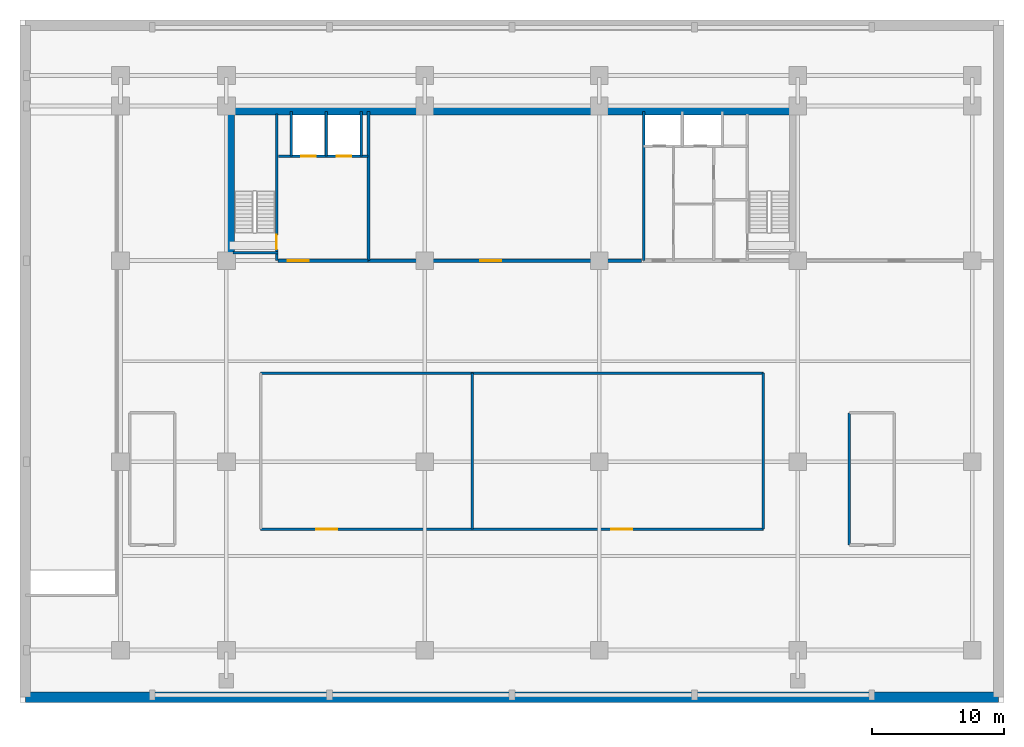
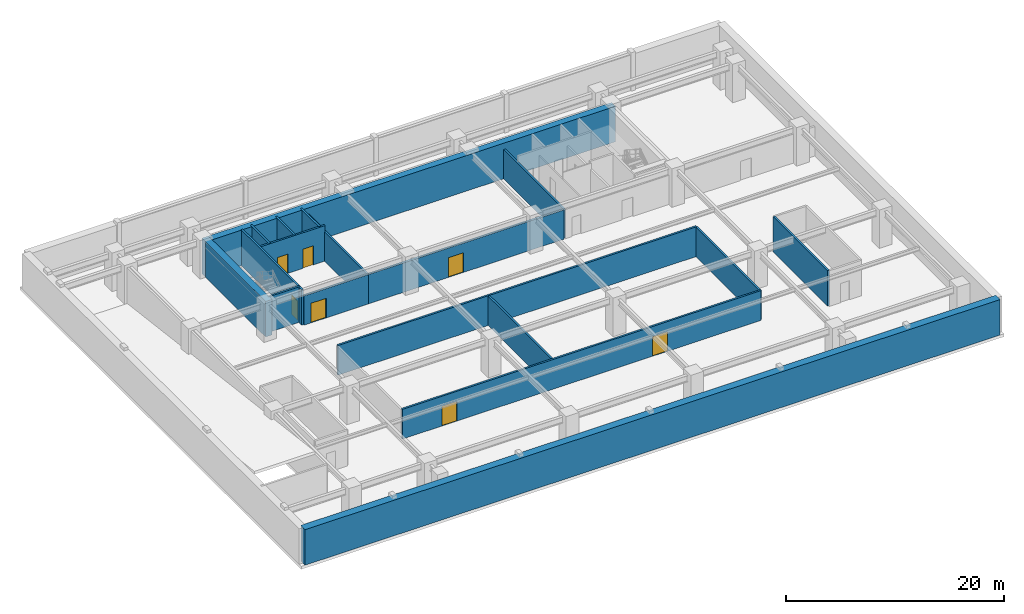
# One storey, part 4 of 8: 18 walls, 7 doors, 7 openings.
"""IFC4 building model written with IfcOpenShell, lengths in metres."""

import ifcopenshell
import ifcopenshell.guid

model = None  # the IFC model being written
_history = None  # IfcOwnerHistory: only IFC2X3 demands one
_inside = {}  # id of a spatial element -> (the spatial element, [elements in it])
_under = {}  # id of a project, library or spatial element -> (it, [spatial elements below it])
_declared = {}  # id of a project -> (the project, [libraries it declares])
_typed = {}  # id of a type object -> (the type object, [elements of that type])
_made_of = {}  # id of a material, layer set ... -> (it, [elements and type objects made of it])


def new_model(schema):
    """Start an empty IFC model of exactly this schema.

    Asked for "IFC4X3", IfcOpenShell would pick the latest addendum, in which some entities
    have other attributes; the version numbers below select the first issue.
    IFC2X3 requires an IfcOwnerHistory on every rooted entity: one is made here for all.
    """
    global model, _history
    if schema == "IFC4X3":
        model = ifcopenshell.file(schema_version=(4, 3, 0, 0))
    else:
        model = ifcopenshell.file(schema=schema)
    _inside.clear()
    _under.clear()
    _declared.clear()
    _typed.clear()
    _made_of.clear()
    _history = None
    if model.schema == "IFC2X3":
        org = make("IfcOrganization", Name="unknown")
        user = make(
            "IfcPersonAndOrganization",
            ThePerson=make("IfcPerson", FamilyName="unknown"),
            TheOrganization=org,
        )
        app = make(
            "IfcApplication",
            ApplicationDeveloper=org,
            Version="unknown",
            ApplicationFullName="unknown",
            ApplicationIdentifier="unknown",
        )
        _history = make(
            "IfcOwnerHistory",
            OwningUser=user,
            OwningApplication=app,
            ChangeAction="ADDED",
            CreationDate=0,
        )
    return model


def make(cls, **values):
    """One entity of the class cls with the attributes given. An attribute that is None is left unset."""
    return model.create_entity(
        cls, **{name: value for name, value in values.items() if value is not None}
    )


def rooted(cls, **values):
    """An entity with a GlobalId (a new one), such as an element, a storey or a relation."""
    return make(cls, GlobalId=ifcopenshell.guid.new(), OwnerHistory=_history, **values)


def si_unit(unit_type, name, prefix=None):
    """IfcSIUnit, for example si_unit("LENGTHUNIT", "METRE", prefix="MILLI")."""
    return make("IfcSIUnit", UnitType=unit_type, Prefix=prefix, Name=name)


def assignment(units):
    """IfcUnitAssignment: the units of a project."""
    return None if units is None else make("IfcUnitAssignment", Units=units)


def point(xyz):
    """IfcCartesianPoint."""
    return None if xyz is None else make("IfcCartesianPoint", Coordinates=xyz)


def direction(xyz):
    """IfcDirection."""
    return None if xyz is None else make("IfcDirection", DirectionRatios=xyz)


def frame(location, z_axis=None, x_axis=None):
    """IfcAxis2Placement3D, a coordinate frame: its origin and axes. An axis left out is left unset."""
    return make(
        "IfcAxis2Placement3D",
        Location=point(location),
        Axis=direction(z_axis),
        RefDirection=direction(x_axis),
    )


def frame_2d(location, x_axis=None):
    """IfcAxis2Placement2D, a coordinate frame in the plane: its origin and x axis."""
    return make(
        "IfcAxis2Placement2D", Location=point(location), RefDirection=direction(x_axis)
    )


def origin():
    """The frame at (0, 0, 0) with its axes left unset."""
    return frame((0.0, 0.0, 0.0))


def place(relative_to, where):
    """IfcLocalPlacement: puts the frame where relative to a parent placement (None: the world)."""
    return make(
        "IfcLocalPlacement", PlacementRelTo=relative_to, RelativePlacement=where
    )


def context(
    kind, dimensions, precision=None, world=None, true_north=None, identifier=None
):
    """IfcGeometricRepresentationContext, for example the 3D "Model" context."""
    return make(
        "IfcGeometricRepresentationContext",
        ContextIdentifier=identifier,
        ContextType=kind,
        CoordinateSpaceDimension=dimensions,
        Precision=precision,
        WorldCoordinateSystem=world,
        TrueNorth=true_north,
    )


def subcontext(parent, identifier, kind, view, scale=None):
    """IfcGeometricRepresentationSubContext, for example "Body" below "Model"."""
    return make(
        "IfcGeometricRepresentationSubContext",
        ContextIdentifier=identifier,
        ContextType=kind,
        ParentContext=parent,
        TargetScale=scale,
        TargetView=view,
    )


def project(units=None, contexts=None):
    """IfcProject with its units and contexts."""
    return rooted(
        "IfcProject",
        Name="project",
        RepresentationContexts=contexts,
        UnitsInContext=assignment(units),
    )


def spatial(cls, under=None, at=None, **own):
    """A site, building, storey or space (cls), placed at a placement, below another one or the project."""
    s = rooted(cls, ObjectPlacement=at, **own)
    if under is not None:
        _under.setdefault(under.id(), (under, []))[1].append(s)
    return s


def profile(cls, at=None, kind="AREA", **sizes):
    """A parametric profile (cls). Its sizes go by their IFC names, for example OverallWidth=200.0."""
    return make(cls, ProfileType=kind, Position=at, **sizes)


def rectangle(**sizes):
    """IfcRectangleProfileDef."""
    return profile("IfcRectangleProfileDef", **sizes)


def extrude(swept, where, along, depth):
    """IfcExtrudedAreaSolid: the profile swept, set in the frame where, extruded along a direction by depth."""
    return make(
        "IfcExtrudedAreaSolid",
        SweptArea=swept,
        Position=where,
        ExtrudedDirection=direction(along),
        Depth=depth,
    )


def shape(context_of_items, identifier, shape_type, items):
    """IfcShapeRepresentation: the items that make up one representation, for example the "Body"."""
    return make(
        "IfcShapeRepresentation",
        ContextOfItems=context_of_items,
        RepresentationIdentifier=identifier,
        RepresentationType=shape_type,
        Items=items,
    )


def source(mapping_origin, context_of_items, identifier, shape_type, items):
    """IfcRepresentationMap: a shape defined once, which mapped items show again and again."""
    return make(
        "IfcRepresentationMap",
        MappingOrigin=mapping_origin,
        MappedRepresentation=shape(context_of_items, identifier, shape_type, items),
    )


def transform(
    local_origin,
    x_axis=None,
    y_axis=None,
    z_axis=None,
    scale=None,
    scale2=None,
    scale3=None,
    uniform=True,
):
    """IfcCartesianTransformationOperator3D, or its non-uniform kind. x_axis, y_axis, z_axis: its Axis1, 2, 3."""
    if uniform:
        return make(
            "IfcCartesianTransformationOperator3D",
            Axis1=direction(x_axis),
            Axis2=direction(y_axis),
            LocalOrigin=point(local_origin),
            Scale=scale,
            Axis3=direction(z_axis),
        )
    return make(
        "IfcCartesianTransformationOperator3DnonUniform",
        Axis1=direction(x_axis),
        Axis2=direction(y_axis),
        LocalOrigin=point(local_origin),
        Scale=scale,
        Axis3=direction(z_axis),
        Scale2=scale2,
        Scale3=scale3,
    )


def mapped(mapping_source, mapping_target):
    """IfcMappedItem: shows the shape of a source again, moved by a transform."""
    return make(
        "IfcMappedItem", MappingSource=mapping_source, MappingTarget=mapping_target
    )


def material(Name=None, Category=None):
    """IfcMaterial."""
    return make("IfcMaterial", Name=Name, Category=Category)


def layer(
    of_material, thickness, ventilated=None, Name=None, Category=None, Priority=None
):
    """IfcMaterialLayer: one layer of a wall or slab, of a material (None: an air gap)."""
    return make(
        "IfcMaterialLayer",
        Material=of_material,
        LayerThickness=thickness,
        IsVentilated=ventilated,
        Name=Name,
        Category=Category,
        Priority=Priority,
    )


def layer_set(layers, Name=None):
    """IfcMaterialLayerSet."""
    return make("IfcMaterialLayerSet", MaterialLayers=layers, LayerSetName=Name)


def made_of(thing, what):
    """Note that an element or type object is made of a material, layer set ...; save() writes the relation."""
    if what is not None:
        _made_of.setdefault(what.id(), (what, []))[1].append(thing)
    return thing


def type_object(cls, material=None, **own):
    """A type object (cls), such as IfcWallType, which elements share."""
    return made_of(rooted(cls, **own), material)


def element(
    cls,
    number,
    at=None,
    inside=None,
    cuts=None,
    type_object=None,
    material=None,
    context=None,
    identifier="Body",
    shape_type=None,
    held_by="IfcProductDefinitionShape",
    body=None,
    shapes=None,
    **own,
):
    """One element of the class cls, such as IfcWall. Its Tag is "e" and its number.

    at: its placement. inside: the storey or other place that contains it. cuts: it is an
    opening in that element (IfcRelVoidsElement). A single representation is given by context,
    identifier, shape_type and body (its items); several are given by shapes. held_by: the class
    of the entity that holds the representations. save() writes the other relations.
    """
    e = rooted(cls, Tag="e%d" % number, ObjectPlacement=at, **own)
    if body is not None:
        shapes = [shape(context, identifier, shape_type, body)]
    if shapes is not None:
        e.Representation = make(held_by, Representations=shapes)
    if inside is not None:
        _inside.setdefault(inside.id(), (inside, []))[1].append(e)
    if cuts is not None:
        rooted(
            "IfcRelVoidsElement", RelatingBuildingElement=cuts, RelatedOpeningElement=e
        )
    if type_object is not None:
        _typed.setdefault(type_object.id(), (type_object, []))[1].append(e)
    return made_of(e, material)


def fill(opening, filler):
    """IfcRelFillsElement: the door or window that sits in an opening."""
    return rooted(
        "IfcRelFillsElement",
        RelatingOpeningElement=opening,
        RelatedBuildingElement=filler,
    )


def aggregate(whole, parts):
    """IfcRelAggregates: a whole, such as a stair, and the parts it consists of."""
    return rooted("IfcRelAggregates", RelatingObject=whole, RelatedObjects=parts)


def save(model, path):
    """Write the relations noted so far, then the file.

    IfcRelAggregates (storeys below a building ...), IfcRelContainedInSpatialStructure (elements
    in a storey), IfcRelDefinesByType, IfcRelAssociatesMaterial and IfcRelDeclares: one each for
    every whole, place, type object, material and project.
    """
    for whole, parts in _under.values():
        aggregate(whole, parts)
    for where, things in _inside.values():
        rooted(
            "IfcRelContainedInSpatialStructure",
            RelatedElements=things,
            RelatingStructure=where,
        )
    for kind, things in _typed.values():
        rooted("IfcRelDefinesByType", RelatedObjects=things, RelatingType=kind)
    for what, things in _made_of.values():
        rooted("IfcRelAssociatesMaterial", RelatedObjects=things, RelatingMaterial=what)
    for by, libraries in _declared.values():
        rooted("IfcRelDeclares", RelatingContext=by, RelatedDefinitions=libraries)
    model.write(path)


model = new_model("IFC4")

# Units and contexts
model_context = context("Model", 3, precision=1e-05, world=origin(), true_north=direction((0.0, 1.0)))
body_context = subcontext(model_context, "Body", "Model", "MODEL_VIEW")
ifc_project = project(units=[si_unit("LENGTHUNIT", "METRE"), si_unit("AREAUNIT", "SQUARE_METRE"), si_unit("VOLUMEUNIT", "CUBIC_METRE"), si_unit("PLANEANGLEUNIT", "RADIAN"), si_unit("MASSUNIT", "GRAM", prefix="KILO")], contexts=[model_context])

# Site, building, storey
site_placement = place(None, origin())
site = spatial("IfcSite", under=ifc_project, at=site_placement, CompositionType="ELEMENT")
building_placement = place(site_placement, origin())
building = spatial("IfcBuilding", under=site, at=building_placement, Name="Trelvane Seafront Commons", CompositionType="ELEMENT")
storey_placement = place(building_placement, frame((0.0, 0.0, -8.60009765625)))
storey = spatial("IfcBuildingStorey", under=building, at=storey_placement, Name="B02", CompositionType="ELEMENT", Elevation=-8.60009765625)

# Wall, openings, doors
ifc_material_1 = material(Name="Concrete C40/50", Category="concrete")
ifc_layer_1 = layer(ifc_material_1, 0.199951171875, Name="ARCH-WALL-FIRE200")
ifc_layer_set_1 = layer_set([ifc_layer_1], Name="Concrete C40/50")
wall_type_1 = type_object("IfcWallType", Name="ARCH-WALL-FIRE200", PredefinedType="PARTITIONING", material=ifc_layer_set_1)
wall_1_placement = place(storey_placement, frame((18.199951171875, 13.10009765625, 0.0), z_axis=(0.0, 0.0, 1.0), x_axis=(1.0, 0.0, 0.0)))
wall_1 = element("IfcWall", 1, at=wall_1_placement, inside=storey, type_object=wall_type_1, Name="W-B02-BM-IS-S-032", PredefinedType="PARTITIONING", context=body_context, shape_type="SweptSolid", body=[
    extrude(rectangle(XDim=38.0, YDim=0.199951171875, at=frame_2d((19.0, 0.0))), origin(), (0.0, 0.0, 1.0), 3.330078125),
])
opening_1_placement = place(wall_1_placement, frame((4.199951171875, 0.0, 0.0)))
opening_1 = element("IfcOpeningElement", 2, at=opening_1_placement, cuts=wall_1, Name="Opening FD-B02-16", PredefinedType="OPENING", context=body_context, shape_type="SweptSolid", body=[
    extrude(rectangle(XDim=1.60009765625, YDim=2.199951171875, at=frame_2d((0.800048828125, 1.10009765625))), frame((0.0, 0.10986328125, 0.0), z_axis=(0.0, -1.0, 0.0), x_axis=(1.0, 0.0, 0.0)), (0.0, 0.0, 1.0), 0.219970703125),
])
opening_2_placement = place(wall_1_placement, frame((26.5, 0.0, 0.0)))
opening_2 = element("IfcOpeningElement", 3, at=opening_2_placement, cuts=wall_1, Name="Opening FD-B02-17", PredefinedType="OPENING", context=body_context, shape_type="SweptSolid", body=[
    extrude(rectangle(XDim=1.60009765625, YDim=2.199951171875, at=frame_2d((0.800048828125, 1.10009765625))), frame((0.0, 0.10986328125, 0.0), z_axis=(0.0, -1.0, 0.0), x_axis=(1.0, 0.0, 0.0)), (0.0, 0.0, 1.0), 0.219970703125),
])
ifc_material_2 = material(Name="Powder-coated aluminium frame", Category="aluminium")
door_type_1 = type_object("IfcDoorType", Name="ARCH-DR-FD60-1600", OperationType="DOUBLE_DOOR_SINGLE_SWING", PredefinedType="DOOR", material=ifc_material_2)
shared_shape_1 = source(origin(), body_context, "Body", "SweptSolid", [
    extrude(rectangle(XDim=1.60009765625, YDim=2.199951171875, at=frame_2d((0.800048828125, 1.10009765625))), frame((0.0, 0.02490234375, 0.0), z_axis=(0.0, -1.0, 0.0), x_axis=(1.0, 0.0, 0.0)), (0.0, 0.0, 1.0), 0.050048828125),
])
door_1_placement = place(opening_1_placement, origin())
door_1 = element("IfcDoor", 4, at=door_1_placement, inside=storey, type_object=door_type_1, Name="B02 Door 16", OperationType="DOUBLE_DOOR_SINGLE_SWING", OverallHeight=2.199951171875, OverallWidth=1.60009765625, PredefinedType="DOOR", context=body_context, shape_type="MappedRepresentation", body=[
    mapped(shared_shape_1, transform((0.0, 0.0, 0.0), x_axis=(1.0, 0.0, 0.0), y_axis=(0.0, 1.0, 0.0), z_axis=(0.0, 0.0, 1.0), scale=1.0)),
])
fill(opening_1, door_1)
door_2_placement = place(opening_2_placement, origin())
door_2 = element("IfcDoor", 5, at=door_2_placement, inside=storey, type_object=door_type_1, Name="B02 Door 17", OperationType="DOUBLE_DOOR_SINGLE_SWING", OverallHeight=2.199951171875, OverallWidth=1.60009765625, PredefinedType="DOOR", context=body_context, shape_type="MappedRepresentation", body=[
    mapped(shared_shape_1, transform((0.0, 0.0, 0.0), x_axis=(1.0, 0.0, 0.0), y_axis=(0.0, 1.0, 0.0), z_axis=(0.0, 0.0, 1.0), scale=1.0)),
])
fill(opening_2, door_2)

# Walls
wall_2_placement = place(storey_placement, frame((18.199951171875, 24.89990234375, 0.0), z_axis=(0.0, 0.0, 1.0), x_axis=(1.0, 0.0, 0.0)))
element("IfcWall", 6, at=wall_2_placement, inside=storey, type_object=wall_type_1, Name="W-B02-BM-IS-N-033", PredefinedType="PARTITIONING", context=body_context, shape_type="SweptSolid", body=[
    extrude(rectangle(XDim=38.0, YDim=0.199951171875, at=frame_2d((19.0, 0.0))), origin(), (0.0, 0.0, 1.0), 3.330078125),
])
for number, where, z_axis, x_axis, name in (
    (7, (56.199951171875, 13.10009765625, 0.0), (0.0, 0.0, 1.0), (0.0, 1.0, 0.0), "W-B02-BM-IS-E-035"),
    (8, (34.199951171875, 13.10009765625, 0.0), (0.0, 0.0, 1.0), (0.0, 1.0, 0.0), "W-B02-BM-IS-M-036"),
):
    element("IfcWall", number, at=place(storey_placement, frame(where, z_axis=z_axis, x_axis=x_axis)), inside=storey, type_object=wall_type_1, Name=name, PredefinedType="PARTITIONING", context=body_context, shape_type="SweptSolid", body=[
        extrude(rectangle(XDim=11.7998046875, YDim=0.199951171875, at=frame_2d((5.89990234375, 0.0))), origin(), (0.0, 0.0, 1.0), 3.280029296875),
    ])

# Wall, opening, door
ifc_layer_2 = layer(ifc_material_1, 0.25, Name="ARCH-WALL-FIRE250")
ifc_layer_set_2 = layer_set([ifc_layer_2], Name="Concrete C40/50")
wall_type_2 = type_object("IfcWallType", Name="ARCH-WALL-FIRE250", PredefinedType="PARTITIONING", material=ifc_layer_set_2)
wall_3_placement = place(storey_placement, frame((19.5, 33.39990234375, 0.0), z_axis=(0.0, 0.0, 1.0), x_axis=(1.0, 0.0, 0.0)))
wall_3 = element("IfcWall", 9, at=wall_3_placement, inside=storey, type_object=wall_type_2, Name="W-B02-CS-FFL-021", PredefinedType="PARTITIONING", context=body_context, shape_type="SweptSolid", body=[
    extrude(rectangle(XDim=6.800048828125, YDim=0.25, at=frame_2d((3.39990234375, 0.0))), origin(), (0.0, 0.0, 1.0), 3.280029296875),
])
opening_3_placement = place(wall_3_placement, frame((0.75, 0.0, 0.0)))
opening_3 = element("IfcOpeningElement", 10, at=opening_3_placement, cuts=wall_3, Name="Opening FD-B02-07", PredefinedType="OPENING", context=body_context, shape_type="SweptSolid", body=[
    extrude(rectangle(XDim=1.60009765625, YDim=2.199951171875, at=frame_2d((0.800048828125, 1.10009765625))), frame((0.0, 0.135009765625, 0.0), z_axis=(0.0, -1.0, 0.0), x_axis=(1.0, 0.0, 0.0)), (0.0, 0.0, 1.0), 0.27001953125),
])
door_3_placement = place(opening_3_placement, origin())
door_3 = element("IfcDoor", 11, at=door_3_placement, inside=storey, type_object=door_type_1, Name="B02 Firefighting Lift Lobby Double Fire Door", OperationType="DOUBLE_DOOR_SINGLE_SWING", OverallHeight=2.199951171875, OverallWidth=1.60009765625, PredefinedType="DOOR", context=body_context, shape_type="MappedRepresentation", body=[
    mapped(shared_shape_1, transform((0.0, 0.0, 0.0), x_axis=(1.0, 0.0, 0.0), y_axis=(0.0, 1.0, 0.0), z_axis=(0.0, 0.0, 1.0), scale=1.0)),
])
fill(opening_3, door_3)

wall_4_placement = place(storey_placement, frame((26.300048828125, 33.39990234375, 0.0), z_axis=(0.0, 0.0, 1.0), x_axis=(1.0, 0.0, 0.0)))
wall_4 = element("IfcWall", 12, at=wall_4_placement, inside=storey, type_object=wall_type_2, Name="W-B02-CS-MID-023", PredefinedType="PARTITIONING", context=body_context, shape_type="SweptSolid", body=[
    extrude(rectangle(XDim=20.699951171875, YDim=0.25, at=frame_2d((10.35009765625, 0.0))), origin(), (0.0, 0.0, 1.0), 3.280029296875),
])
opening_4_placement = place(wall_4_placement, frame((8.5, 0.0, 0.0)))
opening_4 = element("IfcOpeningElement", 13, at=opening_4_placement, cuts=wall_4, Name="Opening FD-B02-08", PredefinedType="OPENING", context=body_context, shape_type="SweptSolid", body=[
    extrude(rectangle(XDim=1.60009765625, YDim=2.199951171875, at=frame_2d((0.800048828125, 1.10009765625))), frame((0.0, 0.135009765625, 0.0), z_axis=(0.0, -1.0, 0.0), x_axis=(1.0, 0.0, 0.0)), (0.0, 0.0, 1.0), 0.27001953125),
])
door_4_placement = place(opening_4_placement, origin())
door_4 = element("IfcDoor", 14, at=door_4_placement, inside=storey, type_object=door_type_1, Name="B02 Core Technical Room Door", OperationType="DOUBLE_DOOR_SINGLE_SWING", OverallHeight=2.199951171875, OverallWidth=1.60009765625, PredefinedType="DOOR", context=body_context, shape_type="MappedRepresentation", body=[
    mapped(shared_shape_1, transform((0.0, 0.0, 0.0), x_axis=(1.0, 0.0, 0.0), y_axis=(0.0, 1.0, 0.0), z_axis=(0.0, 0.0, 1.0), scale=1.0)),
])
fill(opening_4, door_4)

# Wall, openings, doors
ifc_layer_3 = layer(ifc_material_1, 0.199951171875, Name="ARCH-WALL-SHAFT200")
ifc_layer_set_3 = layer_set([ifc_layer_3], Name="Concrete C40/50")
wall_type_3 = type_object("IfcWallType", Name="ARCH-WALL-SHAFT200", PredefinedType="SOLIDWALL", material=ifc_layer_set_3)
wall_5_placement = place(storey_placement, frame((19.550048828125, 41.300048828125, 0.0), z_axis=(0.0, 0.0, 1.0), x_axis=(1.0, 0.0, 0.0)))
wall_5 = element("IfcWall", 15, at=wall_5_placement, inside=storey, type_object=wall_type_3, Name="W-B02-FFL-FRONT-016", PredefinedType="SOLIDWALL", context=body_context, shape_type="SweptSolid", body=[
    extrude(rectangle(XDim=6.75, YDim=0.199951171875, at=frame_2d((3.375, 0.0))), origin(), (0.0, 0.0, 1.0), 3.97998046875),
])
opening_5_placement = place(wall_5_placement, frame((1.699951171875, 0.0, 0.0)))
opening_5 = element("IfcOpeningElement", 16, at=opening_5_placement, cuts=wall_5, Name="Opening LD-FF1-B02", PredefinedType="OPENING", context=body_context, shape_type="SweptSolid", body=[
    extrude(rectangle(XDim=1.10009765625, YDim=2.14990234375, at=frame_2d((0.550048828125, 1.074951171875))), frame((0.0, 0.10986328125, 0.0), z_axis=(0.0, -1.0, 0.0), x_axis=(1.0, 0.0, 0.0)), (0.0, 0.0, 1.0), 0.219970703125),
])
opening_6_placement = place(wall_5_placement, frame((4.39990234375, 0.0, 0.0)))
opening_6 = element("IfcOpeningElement", 17, at=opening_6_placement, cuts=wall_5, Name="Opening LD-FF2-B02", PredefinedType="OPENING", context=body_context, shape_type="SweptSolid", body=[
    extrude(rectangle(XDim=1.10009765625, YDim=2.14990234375, at=frame_2d((0.550048828125, 1.074951171875))), frame((0.0, 0.10986328125, 0.0), z_axis=(0.0, -1.0, 0.0), x_axis=(1.0, 0.0, 0.0)), (0.0, 0.0, 1.0), 0.219970703125),
])
ifc_material_3 = material(Name="Stainless steel balustrade", Category="steel")
door_type_2 = type_object("IfcDoorType", Name="ARCH-DR-LD1100", OperationType="DOUBLE_DOOR_SLIDING", PredefinedType="DOOR", material=ifc_material_3)
shared_shape_2 = source(origin(), body_context, "Body", "SweptSolid", [
    extrude(rectangle(XDim=1.10009765625, YDim=2.14990234375, at=frame_2d((0.550048828125, 1.074951171875))), frame((0.0, 0.02490234375, 0.0), z_axis=(0.0, -1.0, 0.0), x_axis=(1.0, 0.0, 0.0)), (0.0, 0.0, 1.0), 0.050048828125),
])
door_5_placement = place(opening_5_placement, origin())
door_5 = element("IfcDoor", 18, at=door_5_placement, inside=storey, type_object=door_type_2, Name="B02 Firefighting Lift FFL-1 Landing Door", OperationType="DOUBLE_DOOR_SLIDING", OverallHeight=2.14990234375, OverallWidth=1.10009765625, PredefinedType="DOOR", context=body_context, shape_type="MappedRepresentation", body=[
    mapped(shared_shape_2, transform((0.0, 0.0, 0.0), x_axis=(1.0, 0.0, 0.0), y_axis=(0.0, 1.0, 0.0), z_axis=(0.0, 0.0, 1.0), scale=1.0)),
])
fill(opening_5, door_5)
door_6_placement = place(opening_6_placement, origin())
door_6 = element("IfcDoor", 19, at=door_6_placement, inside=storey, type_object=door_type_2, Name="B02 Firefighting Lift FFL-2 Landing Door", OperationType="DOUBLE_DOOR_SLIDING", OverallHeight=2.14990234375, OverallWidth=1.10009765625, PredefinedType="DOOR", context=body_context, shape_type="MappedRepresentation", body=[
    mapped(shared_shape_2, transform((0.0, 0.0, 0.0), x_axis=(1.0, 0.0, 0.0), y_axis=(0.0, 1.0, 0.0), z_axis=(0.0, 0.0, 1.0), scale=1.0)),
])
fill(opening_6, door_6)

# Walls
for number, where, z_axis, x_axis, name in (
    (20, (20.5, 41.300048828125, 0.0), (0.0, 0.0, 1.0), (0.0, 1.0, 0.0), "W-B02-FFL-SH-W-017"),
    (21, (23.14990234375, 41.300048828125, 0.0), (0.0, 0.0, 1.0), (0.0, 1.0, 0.0), "W-B02-FFL-DIV-018"),
    (22, (25.800048828125, 41.300048828125, 0.0), (0.0, 0.0, 1.0), (0.0, 1.0, 0.0), "W-B02-FFL-SH-E-019"),
):
    element("IfcWall", number, at=place(storey_placement, frame(where, z_axis=z_axis, x_axis=x_axis)), inside=storey, type_object=wall_type_3, Name=name, PredefinedType="SOLIDWALL", context=body_context, shape_type="SweptSolid", body=[
        extrude(rectangle(XDim=3.39990234375, YDim=0.199951171875, at=frame_2d((1.699951171875, 0.0))), origin(), (0.0, 0.0, 1.0), 3.97998046875),
    ])
for number, where, z_axis, x_axis, name in (
    (23, (26.35009765625, 33.39990234375, 0.0), (0.0, 0.0, 1.0), (0.0, 1.0, 0.0), "W-B02-FFL-EAST-020"),
    (24, (47.14990234375, 33.39990234375, 0.0), (0.0, 0.0, 1.0), (0.0, 1.0, 0.0), "W-B02-RSR-W-BM-022"),
):
    element("IfcWall", number, at=place(storey_placement, frame(where, z_axis=z_axis, x_axis=x_axis)), inside=storey, type_object=wall_type_3, Name=name, PredefinedType="SOLIDWALL", context=body_context, shape_type="SweptSolid", body=[
        extrude(rectangle(XDim=11.300048828125, YDim=0.199951171875, at=frame_2d((5.64990234375, 0.0))), origin(), (0.0, 0.0, 1.0), 3.280029296875),
    ])
ifc_material_4 = material(Name="Concrete C60/75", Category="concrete")
ifc_layer_4 = layer(ifc_material_4, 0.699951171875, Name="STR-WALL-CORE700")
ifc_layer_set_4 = layer_set([ifc_layer_4], Name="Concrete C60/75")
wall_type_4 = type_object("IfcWallType", Name="STR-WALL-CORE700", PredefinedType="SHEAR", material=ifc_layer_set_4)
wall_6_placement = place(storey_placement, frame((15.5, 44.75, 0.0), z_axis=(0.0, 0.0, 1.0), x_axis=(1.0, 0.0, 0.0)))
element("IfcWall", 25, at=wall_6_placement, inside=storey, type_object=wall_type_4, Name="W-B02-CN-ALL-001", PredefinedType="SHEAR", context=body_context, shape_type="SweptSolid", body=[
    extrude(rectangle(XDim=43.39990234375, YDim=0.699951171875, at=frame_2d((21.699951171875, 0.0))), origin(), (0.0, 0.0, 1.0), 3.97998046875),
])
wall_7_placement = place(storey_placement, frame((15.85009765625, 33.39990234375, 0.0), z_axis=(0.0, 0.0, 1.0), x_axis=(0.0, 1.0, 0.0)))
element("IfcWall", 26, at=wall_7_placement, inside=storey, type_object=wall_type_4, Name="W-B02-CW-END-002", PredefinedType="SHEAR", context=body_context, shape_type="SweptSolid", body=[
    extrude(rectangle(XDim=11.7001953125, YDim=0.699951171875, at=frame_2d((5.85009765625, 0.0))), origin(), (0.0, 0.0, 1.0), 3.97998046875),
])
ifc_material_5 = material(Name="Concrete C50/60", Category="concrete")
ifc_layer_5 = layer(ifc_material_5, 0.800048828125, Name="STR-WALL-RET800")
ifc_layer_set_5 = layer_set([ifc_layer_5], Name="Concrete C50/60")
wall_type_5 = type_object("IfcWallType", Name="STR-WALL-RET800", PredefinedType="USERDEFINED", material=ifc_layer_set_5)
wall_8_placement = place(storey_placement, frame((0.39990234375, 0.39990234375, 0.0), z_axis=(0.0, 0.0, 1.0), x_axis=(1.0, 0.0, 0.0)))
element("IfcWall", 27, at=wall_8_placement, inside=storey, type_object=wall_type_5, Name="RET-B02-05", ObjectType="RETAINING WALL", PredefinedType="USERDEFINED", context=body_context, shape_type="SweptSolid", body=[
    extrude(rectangle(XDim=73.60009765625, YDim=0.800048828125, at=frame_2d((36.800048828125, 0.0))), origin(), (0.0, 0.0, 1.0), 3.97998046875),
])
ifc_layer_6 = layer(ifc_material_5, 0.199951171875, Name="STR-WALL-STAIR200")
ifc_layer_set_6 = layer_set([ifc_layer_6], Name="Concrete C50/60")
wall_type_6 = type_object("IfcWallType", Name="STR-WALL-STAIR200", PredefinedType="SHEAR", material=ifc_layer_set_6)
wall_9_placement = place(storey_placement, frame((16.10009765625, 34.0, 0.0), z_axis=(0.0, 0.0, 1.0), x_axis=(1.0, 0.0, 0.0)))
element("IfcWall", 28, at=wall_9_placement, inside=storey, type_object=wall_type_6, Name="W-B02-ST1-S-004", PredefinedType="SHEAR", context=body_context, shape_type="SweptSolid", body=[
    extrude(rectangle(XDim=3.39990234375, YDim=0.199951171875, at=frame_2d((1.699951171875, 0.0))), origin(), (0.0, 0.0, 1.0), 3.97998046875),
])

# Wall, opening, door
wall_10_placement = place(storey_placement, frame((19.39990234375, 33.39990234375, 0.0), z_axis=(0.0, 0.0, 1.0), x_axis=(0.0, 1.0, 0.0)))
wall_10 = element("IfcWall", 29, at=wall_10_placement, inside=storey, type_object=wall_type_6, Name="W-B02-ST1-E-005", PredefinedType="SHEAR", context=body_context, shape_type="SweptSolid", body=[
    extrude(rectangle(XDim=11.10009765625, YDim=0.199951171875, at=frame_2d((5.550048828125, 0.0))), origin(), (0.0, 0.0, 1.0), 3.97998046875),
])
opening_7_placement = place(wall_10_placement, frame((0.85009765625, 0.0, 0.0)))
opening_7 = element("IfcOpeningElement", 30, at=opening_7_placement, cuts=wall_10, Name="Opening ST-D1-B02", PredefinedType="OPENING", context=body_context, shape_type="SweptSolid", body=[
    extrude(rectangle(XDim=1.10009765625, YDim=2.14990234375, at=frame_2d((0.550048828125, 1.074951171875))), frame((0.0, 0.10986328125, 0.0), z_axis=(0.0, -1.0, 0.0), x_axis=(1.0, 0.0, 0.0)), (0.0, 0.0, 1.0), 0.219970703125),
])
door_type_3 = type_object("IfcDoorType", Name="ARCH-DR-FD90-1100", OperationType="NOTDEFINED", PredefinedType="DOOR", material=ifc_material_2)
door_7_placement = place(opening_7_placement, origin())
door_7 = element("IfcDoor", 31, at=door_7_placement, inside=storey, type_object=door_type_3, Name="B02 Stair ST-1 Lobby Fire Door", OperationType="SINGLE_SWING_LEFT", OverallHeight=2.14990234375, OverallWidth=1.10009765625, PredefinedType="DOOR", context=body_context, shape_type="MappedRepresentation", body=[
    mapped(shared_shape_2, transform((0.0, 0.0, 0.0), x_axis=(1.0, 0.0, 0.0), y_axis=(0.0, 1.0, 0.0), z_axis=(0.0, 0.0, 1.0), scale=1.0)),
])
fill(opening_7, door_7)

# Wall
wall_11_placement = place(storey_placement, frame((62.699951171875, 11.89990234375, 0.0), z_axis=(0.0, 0.0, 1.0), x_axis=(0.0, 1.0, 0.0)))
element("IfcWall", 32, at=wall_11_placement, inside=storey, type_object=wall_type_6, Name="W-B02-ST4B-W-012", PredefinedType="SHEAR", context=body_context, shape_type="SweptSolid", body=[
    extrude(rectangle(XDim=10.0, YDim=0.199951171875, at=frame_2d((5.0, 0.0))), origin(), (0.0, 0.0, 1.0), 3.97998046875),
])

save(model, "model.ifc")
